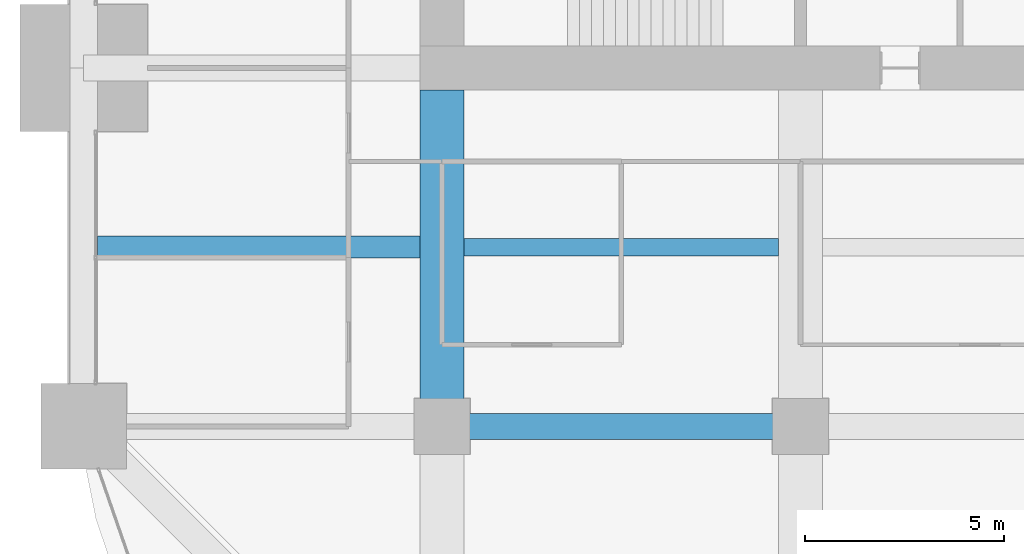
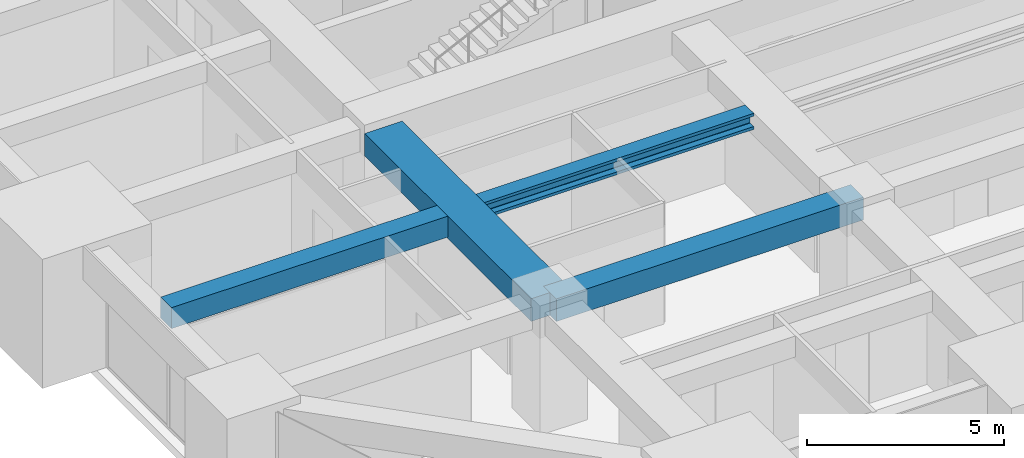
# One storey, part 8 of 43: 4 beams.
"""IFC4 building model written with IfcOpenShell, lengths in metres."""

from ifc_helpers import new_model, si_unit, direction, frame, origin, origin_2d, place, context, subcontext, project, spatial, rectangle, i_section, extrude, material, material_profile, profile_set, type_object, element, save


model = new_model("IFC4")

# Units and contexts
model_context = context("Model", 3, precision=1e-05, world=origin(), true_north=direction((0.0, 1.0)))
body_context = subcontext(model_context, "Body", "Model", "MODEL_VIEW")
ifc_project = project(units=[si_unit("LENGTHUNIT", "METRE"), si_unit("AREAUNIT", "SQUARE_METRE"), si_unit("VOLUMEUNIT", "CUBIC_METRE"), si_unit("PLANEANGLEUNIT", "RADIAN"), si_unit("MASSUNIT", "GRAM", prefix="KILO")], contexts=[model_context])

# Site, building, storey
site_placement = place(None, origin())
site = spatial("IfcSite", under=ifc_project, at=site_placement, CompositionType="ELEMENT")
building_placement = place(site_placement, origin())
building = spatial("IfcBuilding", under=site, at=building_placement, Name="Zorevar Civic Tower", CompositionType="ELEMENT")
storey_placement = place(building_placement, frame((0.0, 0.0, 243.39990234375)))
storey = spatial("IfcBuildingStorey", under=building, at=storey_placement, Name="L59", CompositionType="ELEMENT", Elevation=243.39990234375)

# Beams
ifc_material_1 = material(Name="Concrete C50/60", Category="concrete")
ifc_material_profile_1 = material_profile(ifc_material_1, rectangle(XDim=1.10009765625, YDim=0.699951171875, at=origin_2d()), Name="RC 1100x700")
ifc_profile_set_1 = profile_set([ifc_material_profile_1], Name="Concrete C50/60")
beam_type_1 = type_object("IfcBeamType", Name="Beam RC 1100x700", PredefinedType="BEAM", material=ifc_profile_set_1)
beam_1_placement = place(storey_placement, frame((18.0, 9.0, 3.400146484375), z_axis=(0.0, 1.0, 0.0), x_axis=(-1.0, 0.0, 0.0)))
element("IfcBeam", 1, at=beam_1_placement, inside=storey, type_object=beam_type_1, Name="Girder L60", PredefinedType="BEAM", context=body_context, shape_type="SweptSolid", body=[
    extrude(rectangle(XDim=1.10009765625, YDim=0.699951171875, at=origin_2d()), origin(), (0.0, 0.0, 1.0), 8.449951171875),
])
ifc_material_2 = material(Name="Concrete C50/60", Category="concrete")
ifc_material_profile_2 = material_profile(ifc_material_2, rectangle(XDim=0.550048828125, YDim=0.64990234375, at=origin_2d()), Name="RC 550x650")
ifc_profile_set_2 = profile_set([ifc_material_profile_2], Name="Concrete C50/60")
beam_type_2 = type_object("IfcBeamType", Name="Beam RC 550x650", PredefinedType="BEAM", material=ifc_profile_set_2)
beam_2_placement = place(storey_placement, frame((9.35009765625, 13.5, 3.425048828125), z_axis=(1.0, 0.0, 0.0), x_axis=(0.0, 1.0, 0.0)))
element("IfcBeam", 2, at=beam_2_placement, inside=storey, type_object=beam_type_2, Name="Secondary beam L60", PredefinedType="BEAM", context=body_context, shape_type="SweptSolid", body=[
    extrude(rectangle(XDim=0.550048828125, YDim=0.64990234375, at=origin_2d()), origin(), (0.0, 0.0, 1.0), 8.099853515625),
])
ifc_material_3 = material(Name="Concrete C50/60", Category="concrete")
ifc_material_profile_3 = material_profile(ifc_material_3, rectangle(XDim=0.64990234375, YDim=0.699951171875, at=origin_2d()), Name="RC 650x700")
ifc_profile_set_3 = profile_set([ifc_material_profile_3], Name="Concrete C50/60")
beam_type_3 = type_object("IfcBeamType", Name="Beam RC 650x700", PredefinedType="BEAM", material=ifc_profile_set_3)
beam_3_placement = place(storey_placement, frame((18.0, 9.0, 3.400146484375), z_axis=(1.0, 0.0, 0.0), x_axis=(0.0, 1.0, 0.0)))
element("IfcBeam", 3, at=beam_3_placement, inside=storey, type_object=beam_type_3, Name="Girder L60", PredefinedType="BEAM", context=body_context, shape_type="SweptSolid", body=[
    extrude(rectangle(XDim=0.64990234375, YDim=0.699951171875, at=origin_2d()), origin(), (0.0, 0.0, 1.0), 9.0),
])
ifc_material_4 = material(Name="Steel S460M (HISTAR 460)", Category="steel")
ifc_material_profile_4 = material_profile(ifc_material_4, i_section(OverallWidth=0.431884765625, OverallDepth=0.498046875, WebThickness=0.0556640625, FlangeThickness=0.0888671875, FilletRadius=0.014892578125, at=origin_2d()), Name="HD 400x744")
ifc_profile_set_4 = profile_set([ifc_material_profile_4], Name="Steel S460M (HISTAR 460)")
beam_type_4 = type_object("IfcBeamType", Name="Core bay beam HD 400x744", PredefinedType="BEAM", material=ifc_profile_set_4)
beam_4_placement = place(storey_placement, frame((18.550048828125, 13.5, 3.5009765625), z_axis=(1.0, 0.0, 0.0), x_axis=(0.0, 1.0, 0.0)))
element("IfcBeam", 4, at=beam_4_placement, inside=storey, type_object=beam_type_4, Name="Secondary beam L60", PredefinedType="BEAM", context=body_context, shape_type="SweptSolid", body=[
    extrude(i_section(OverallWidth=0.431884765625, OverallDepth=0.498046875, WebThickness=0.0556640625, FlangeThickness=0.0888671875, FilletRadius=0.014892578125, at=origin_2d()), origin(), (0.0, 0.0, 1.0), 7.89990234375),
])

save(model, "model.ifc")
